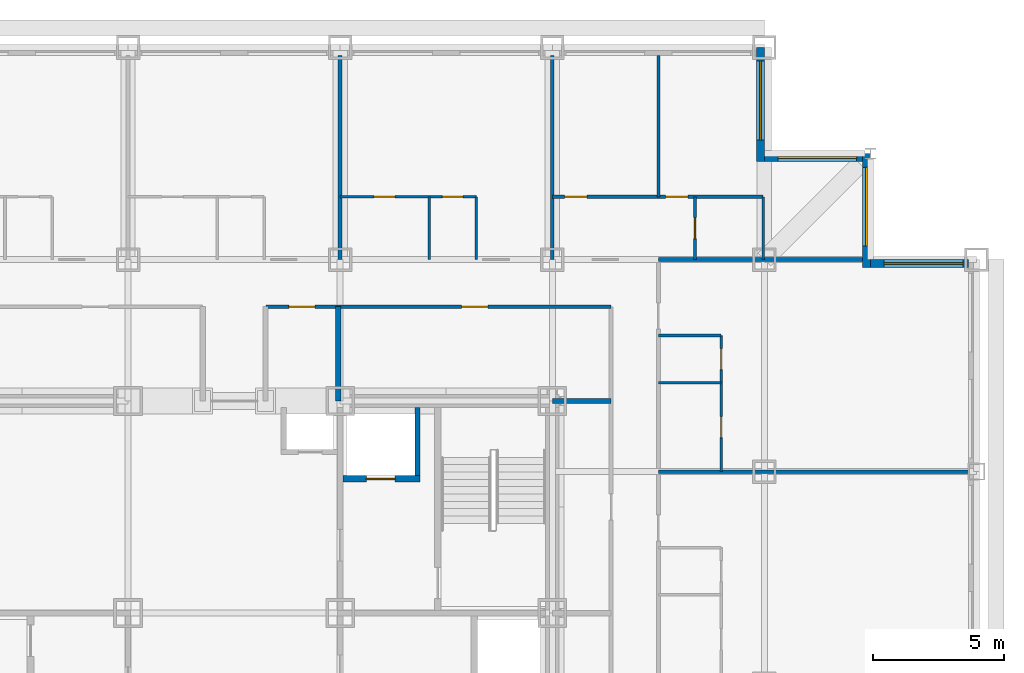
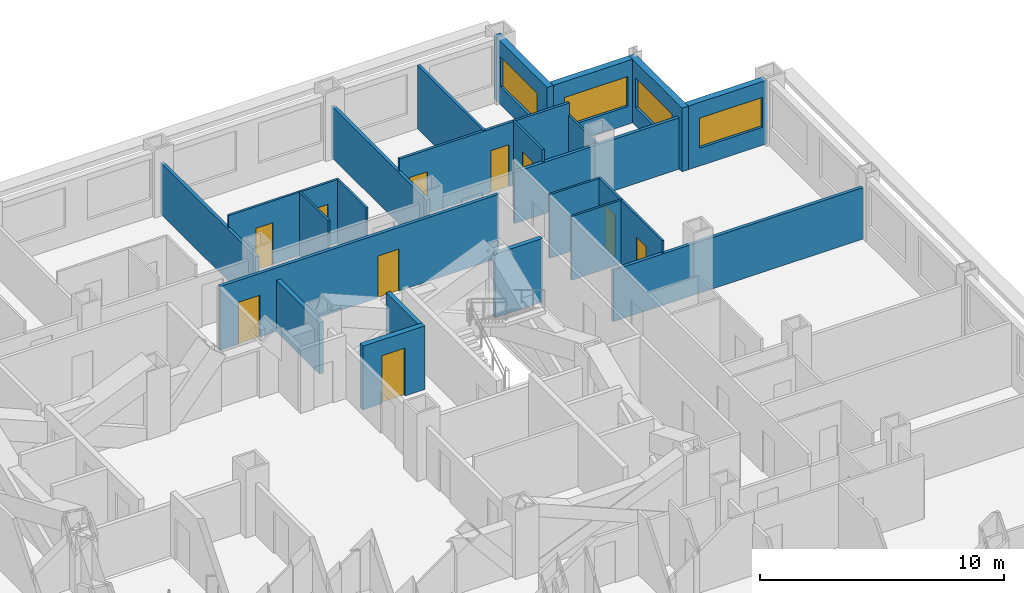
# One storey, part 10 of 12: 23 walls, 10 doors, 4 windows, 14 openings.
"""IFC4 building model written with IfcOpenShell, lengths in metres."""

from ifc_helpers import new_model, si_unit, direction, frame, frame_2d, origin, place, context, subcontext, project, spatial, rectangle, extrude, material, layer, layer_set, type_object, element, fill, save


model = new_model("IFC4")

# Units and contexts
model_context = context("Model", 3, precision=1e-05, world=origin(), true_north=direction((0.0, 1.0)))
body_context = subcontext(model_context, "Body", "Model", "MODEL_VIEW")
ifc_project = project(units=[si_unit("LENGTHUNIT", "METRE"), si_unit("AREAUNIT", "SQUARE_METRE"), si_unit("VOLUMEUNIT", "CUBIC_METRE"), si_unit("PLANEANGLEUNIT", "RADIAN"), si_unit("MASSUNIT", "GRAM", prefix="KILO")], contexts=[model_context])

# Site, building, storey
site_placement = place(None, origin())
site = spatial("IfcSite", under=ifc_project, at=site_placement, CompositionType="ELEMENT")
building_placement = place(site_placement, origin())
building = spatial("IfcBuilding", under=site, at=building_placement, Name="Kopane Lantern Tower", CompositionType="ELEMENT")
storey_placement = place(building_placement, frame((0.0, 0.0, 106.800048828125)))
storey = spatial("IfcBuildingStorey", under=building, at=storey_placement, Name="L26", CompositionType="ELEMENT", Elevation=106.800048828125)

# Wall, openings, doors
ifc_material_1 = material(Name="Gypsum board on steel studs", Category="steel")
ifc_layer_1 = layer(ifc_material_1, 0.1201171875)
ifc_layer_set_1 = layer_set([ifc_layer_1], Name="APARTMENT INTERNAL WALL 120")
wall_type_1 = type_object("IfcWallType", Name="APARTMENT INTERNAL WALL 120", PredefinedType="PARTITIONING", material=ifc_layer_set_1)
wall_1_placement = place(storey_placement, frame((40.5, 48.300048828125, 0.0), z_axis=(0.0, 0.0, 1.0), x_axis=(1.0, 0.0, 0.0)))
wall_1 = element("IfcWall", 1, at=wall_1_placement, inside=storey, type_object=wall_type_1, Name="Apartment Internal Wall 120 L26", PredefinedType="PARTITIONING", context=body_context, shape_type="SweptSolid", body=[
    extrude(rectangle(XDim=8.050048828125, YDim=0.1201171875, at=frame_2d((4.02490234375, 0.0))), origin(), (0.0, 0.0, 1.0), 3.18994140625),
])
opening_1_placement = place(wall_1_placement, frame((0.47509765625, 0.0, 0.0)))
opening_1 = element("IfcOpeningElement", 2, at=opening_1_placement, cuts=wall_1, Name="Opening L26-060", PredefinedType="OPENING", context=body_context, shape_type="SweptSolid", body=[
    extrude(rectangle(XDim=0.85009765625, YDim=2.10009765625, at=frame_2d((0.425048828125, 1.050048828125))), frame((0.0, 0.070068359375, 0.0), z_axis=(0.0, -1.0, 0.0), x_axis=(1.0, 0.0, 0.0)), (0.0, 0.0, 1.0), 0.14013671875),
])
opening_2_placement = place(wall_1_placement, frame((4.324951171875, 0.0, 0.0)))
opening_2 = element("IfcOpeningElement", 3, at=opening_2_placement, cuts=wall_1, Name="Opening L26-062", PredefinedType="OPENING", context=body_context, shape_type="SweptSolid", body=[
    extrude(rectangle(XDim=0.85009765625, YDim=2.10009765625, at=frame_2d((0.425048828125, 1.050048828125))), frame((0.0, 0.070068359375, 0.0), z_axis=(0.0, -1.0, 0.0), x_axis=(1.0, 0.0, 0.0)), (0.0, 0.0, 1.0), 0.14013671875),
])
ifc_material_2 = material(Name="Timber door set", Category="wood")
door_type_1 = type_object("IfcDoorType", Name="DOOR D4 850x2100", OperationType="SINGLE_SWING_LEFT", PredefinedType="DOOR", material=ifc_material_2)
door_1_placement = place(opening_1_placement, origin())
door_1 = element("IfcDoor", 4, at=door_1_placement, inside=storey, type_object=door_type_1, Name="Door L26-060", OperationType="SINGLE_SWING_RIGHT", OverallHeight=2.10009765625, OverallWidth=0.85009765625, PredefinedType="DOOR", context=body_context, shape_type="SweptSolid", body=[
    extrude(rectangle(XDim=0.85009765625, YDim=2.10009765625, at=frame_2d((0.425048828125, 1.050048828125))), frame((0.0, 0.02490234375, 0.0), z_axis=(0.0, -1.0, 0.0), x_axis=(1.0, 0.0, 0.0)), (0.0, 0.0, 1.0), 0.050048828125),
])
fill(opening_1, door_1)
door_2_placement = place(opening_2_placement, origin())
door_2 = element("IfcDoor", 5, at=door_2_placement, inside=storey, type_object=door_type_1, Name="Door L26-062", OperationType="SINGLE_SWING_LEFT", OverallHeight=2.10009765625, OverallWidth=0.85009765625, PredefinedType="DOOR", context=body_context, shape_type="SweptSolid", body=[
    extrude(rectangle(XDim=0.85009765625, YDim=2.10009765625, at=frame_2d((0.425048828125, 1.050048828125))), frame((0.0, 0.02490234375, 0.0), z_axis=(0.0, -1.0, 0.0), x_axis=(1.0, 0.0, 0.0)), (0.0, 0.0, 1.0), 0.050048828125),
])
fill(opening_2, door_2)

# Wall
wall_2_placement = place(storey_placement, frame((44.550048828125, 48.300048828125, 0.0), z_axis=(0.0, 0.0, 1.0), x_axis=(0.0, 1.0, 0.0)))
element("IfcWall", 6, at=wall_2_placement, inside=storey, type_object=wall_type_1, Name="Apartment Internal Wall 120 L26", PredefinedType="PARTITIONING", context=body_context, shape_type="SweptSolid", body=[
    extrude(rectangle(XDim=5.39990234375, YDim=0.1201171875, at=frame_2d((2.699951171875, 0.0))), origin(), (0.0, 0.0, 1.0), 3.18994140625),
])

# Wall, openings, doors
ifc_material_3 = material(Name="Moisture-resistant board on steel studs", Category="steel")
ifc_layer_2 = layer(ifc_material_3, 0.10009765625)
ifc_layer_set_2 = layer_set([ifc_layer_2], Name="BATHROOM WALL 100")
wall_type_2 = type_object("IfcWallType", Name="BATHROOM WALL 100", PredefinedType="PARTITIONING", material=ifc_layer_set_2)
wall_3_placement = place(storey_placement, frame((32.39990234375, 48.300048828125, 0.0), z_axis=(0.0, 0.0, 1.0), x_axis=(1.0, 0.0, 0.0)))
wall_3 = element("IfcWall", 7, at=wall_3_placement, inside=storey, type_object=wall_type_2, Name="Bathroom Wall 100 L26", PredefinedType="PARTITIONING", context=body_context, shape_type="SweptSolid", body=[
    extrude(rectangle(XDim=5.2001953125, YDim=0.10009765625, at=frame_2d((2.60009765625, 0.0))), origin(), (0.0, 0.0, 1.0), 3.18994140625),
])
opening_3_placement = place(wall_3_placement, frame((1.300048828125, 0.0, 0.0)))
opening_3 = element("IfcOpeningElement", 8, at=opening_3_placement, cuts=wall_3, Name="Opening L26-027", PredefinedType="OPENING", context=body_context, shape_type="SweptSolid", body=[
    extrude(rectangle(XDim=0.800048828125, YDim=2.10009765625, at=frame_2d((0.39990234375, 1.050048828125))), frame((0.0, 0.06005859375, 0.0), z_axis=(0.0, -1.0, 0.0), x_axis=(1.0, 0.0, 0.0)), (0.0, 0.0, 1.0), 0.1201171875),
])
opening_4_placement = place(wall_3_placement, frame((3.89990234375, 0.0, 0.0)))
opening_4 = element("IfcOpeningElement", 9, at=opening_4_placement, cuts=wall_3, Name="Opening L26-028", PredefinedType="OPENING", context=body_context, shape_type="SweptSolid", body=[
    extrude(rectangle(XDim=0.800048828125, YDim=2.10009765625, at=frame_2d((0.39990234375, 1.050048828125))), frame((0.0, 0.06005859375, 0.0), z_axis=(0.0, -1.0, 0.0), x_axis=(1.0, 0.0, 0.0)), (0.0, 0.0, 1.0), 0.1201171875),
])
ifc_material_4 = material(Name="Timber door set", Category="wood")
door_type_2 = type_object("IfcDoorType", Name="DOOR D2 800x2100", OperationType="SINGLE_SWING_LEFT", PredefinedType="DOOR", material=ifc_material_4)
door_3_placement = place(opening_3_placement, origin())
door_3 = element("IfcDoor", 10, at=door_3_placement, inside=storey, type_object=door_type_2, Name="Door L26-027", OperationType="SINGLE_SWING_LEFT", OverallHeight=2.10009765625, OverallWidth=0.800048828125, PredefinedType="DOOR", context=body_context, shape_type="SweptSolid", body=[
    extrude(rectangle(XDim=0.800048828125, YDim=2.10009765625, at=frame_2d((0.39990234375, 1.050048828125))), frame((0.0, 0.02490234375, 0.0), z_axis=(0.0, -1.0, 0.0), x_axis=(1.0, 0.0, 0.0)), (0.0, 0.0, 1.0), 0.050048828125),
])
fill(opening_3, door_3)
door_4_placement = place(opening_4_placement, origin())
door_4 = element("IfcDoor", 11, at=door_4_placement, inside=storey, type_object=door_type_2, Name="Door L26-028", OperationType="SINGLE_SWING_LEFT", OverallHeight=2.10009765625, OverallWidth=0.800048828125, PredefinedType="DOOR", context=body_context, shape_type="SweptSolid", body=[
    extrude(rectangle(XDim=0.800048828125, YDim=2.10009765625, at=frame_2d((0.39990234375, 1.050048828125))), frame((0.0, 0.02490234375, 0.0), z_axis=(0.0, -1.0, 0.0), x_axis=(1.0, 0.0, 0.0)), (0.0, 0.0, 1.0), 0.050048828125),
])
fill(opening_4, door_4)

# Walls
for number, where, z_axis, x_axis, name in (
    (12, (35.800048828125, 45.89990234375, 0.0), (0.0, 0.0, 1.0), (0.0, 1.0, 0.0), "Bathroom Wall 100 L26"),
    (13, (37.60009765625, 45.89990234375, 0.0), (0.0, 0.0, 1.0), (0.0, 1.0, 0.0), "Bathroom Wall 100 L26"),
):
    element("IfcWall", number, at=place(storey_placement, frame(where, z_axis=z_axis, x_axis=x_axis)), inside=storey, type_object=wall_type_2, Name=name, PredefinedType="PARTITIONING", context=body_context, shape_type="SweptSolid", body=[
        extrude(rectangle(XDim=2.400146484375, YDim=0.10009765625, at=frame_2d((1.2001953125, 0.0))), origin(), (0.0, 0.0, 1.0), 3.18994140625),
    ])

# Wall, openings, doors
wall_4_placement = place(storey_placement, frame((46.949951171875, 37.800048828125, 0.0), z_axis=(0.0, 0.0, 1.0), x_axis=(0.0, 1.0, 0.0)))
wall_4 = element("IfcWall", 14, at=wall_4_placement, inside=storey, type_object=wall_type_2, Name="Bathroom Wall 100 L26", PredefinedType="PARTITIONING", context=body_context, shape_type="SweptSolid", body=[
    extrude(rectangle(XDim=5.199951171875, YDim=0.10009765625, at=frame_2d((2.60009765625, 0.0))), origin(), (0.0, 0.0, 1.0), 3.18994140625),
])
opening_5_placement = place(wall_4_placement, frame((1.300048828125, 0.0, 0.0)))
opening_5 = element("IfcOpeningElement", 15, at=opening_5_placement, cuts=wall_4, Name="Opening L26-046", PredefinedType="OPENING", context=body_context, shape_type="SweptSolid", body=[
    extrude(rectangle(XDim=0.800048828125, YDim=2.10009765625, at=frame_2d((0.39990234375, 1.050048828125))), frame((0.0, 0.06005859375, 0.0), z_axis=(0.0, -1.0, 0.0), x_axis=(1.0, 0.0, 0.0)), (0.0, 0.0, 1.0), 0.1201171875),
])
opening_6_placement = place(wall_4_placement, frame((3.89990234375, 0.0, 0.0)))
opening_6 = element("IfcOpeningElement", 16, at=opening_6_placement, cuts=wall_4, Name="Opening L26-047", PredefinedType="OPENING", context=body_context, shape_type="SweptSolid", body=[
    extrude(rectangle(XDim=0.800048828125, YDim=2.10009765625, at=frame_2d((0.39990234375, 1.050048828125))), frame((0.0, 0.06005859375, 0.0), z_axis=(0.0, -1.0, 0.0), x_axis=(1.0, 0.0, 0.0)), (0.0, 0.0, 1.0), 0.1201171875),
])
door_5_placement = place(opening_5_placement, origin())
door_5 = element("IfcDoor", 17, at=door_5_placement, inside=storey, type_object=door_type_2, Name="Door L26-046", OperationType="SINGLE_SWING_RIGHT", OverallHeight=2.10009765625, OverallWidth=0.800048828125, PredefinedType="DOOR", context=body_context, shape_type="SweptSolid", body=[
    extrude(rectangle(XDim=0.800048828125, YDim=2.10009765625, at=frame_2d((0.39990234375, 1.050048828125))), frame((0.0, 0.02490234375, 0.0), z_axis=(0.0, -1.0, 0.0), x_axis=(1.0, 0.0, 0.0)), (0.0, 0.0, 1.0), 0.050048828125),
])
fill(opening_5, door_5)
door_6_placement = place(opening_6_placement, origin())
door_6 = element("IfcDoor", 18, at=door_6_placement, inside=storey, type_object=door_type_2, Name="Door L26-047", OperationType="SINGLE_SWING_RIGHT", OverallHeight=2.10009765625, OverallWidth=0.800048828125, PredefinedType="DOOR", context=body_context, shape_type="SweptSolid", body=[
    extrude(rectangle(XDim=0.800048828125, YDim=2.10009765625, at=frame_2d((0.39990234375, 1.050048828125))), frame((0.0, 0.02490234375, 0.0), z_axis=(0.0, -1.0, 0.0), x_axis=(1.0, 0.0, 0.0)), (0.0, 0.0, 1.0), 0.050048828125),
])
fill(opening_6, door_6)

# Walls
for number, where, z_axis, x_axis, name in (
    (19, (44.550048828125, 41.199951171875, 0.0), (0.0, 0.0, 1.0), (1.0, 0.0, 0.0), "Bathroom Wall 100 L26"),
    (20, (44.550048828125, 43.0, 0.0), (0.0, 0.0, 1.0), (1.0, 0.0, 0.0), "Bathroom Wall 100 L26"),
):
    element("IfcWall", number, at=place(storey_placement, frame(where, z_axis=z_axis, x_axis=x_axis)), inside=storey, type_object=wall_type_2, Name=name, PredefinedType="PARTITIONING", context=body_context, shape_type="SweptSolid", body=[
        extrude(rectangle(XDim=2.39990234375, YDim=0.10009765625, at=frame_2d((1.199951171875, 0.0))), origin(), (0.0, 0.0, 1.0), 3.18994140625),
    ])

# Wall, opening, door
wall_5_placement = place(storey_placement, frame((45.949951171875, 45.89990234375, 0.0), z_axis=(0.0, 0.0, 1.0), x_axis=(0.0, 1.0, 0.0)))
wall_5 = element("IfcWall", 21, at=wall_5_placement, inside=storey, type_object=wall_type_2, Name="Bathroom Wall 100 L26", PredefinedType="PARTITIONING", context=body_context, shape_type="SweptSolid", body=[
    extrude(rectangle(XDim=2.400146484375, YDim=0.10009765625, at=frame_2d((1.2001953125, 0.0))), origin(), (0.0, 0.0, 1.0), 3.18994140625),
])
opening_7_placement = place(wall_5_placement, frame((0.800048828125, 0.0, 0.0)))
opening_7 = element("IfcOpeningElement", 22, at=opening_7_placement, cuts=wall_5, Name="Opening L26-061", PredefinedType="OPENING", context=body_context, shape_type="SweptSolid", body=[
    extrude(rectangle(XDim=0.800048828125, YDim=2.10009765625, at=frame_2d((0.39990234375, 1.050048828125))), frame((0.0, 0.06005859375, 0.0), z_axis=(0.0, -1.0, 0.0), x_axis=(1.0, 0.0, 0.0)), (0.0, 0.0, 1.0), 0.1201171875),
])
door_7_placement = place(opening_7_placement, origin())
door_7 = element("IfcDoor", 23, at=door_7_placement, inside=storey, type_object=door_type_2, Name="Door L26-061", OperationType="SINGLE_SWING_RIGHT", OverallHeight=2.10009765625, OverallWidth=0.800048828125, PredefinedType="DOOR", context=body_context, shape_type="SweptSolid", body=[
    extrude(rectangle(XDim=0.800048828125, YDim=2.10009765625, at=frame_2d((0.39990234375, 1.050048828125))), frame((0.0, 0.02490234375, 0.0), z_axis=(0.0, -1.0, 0.0), x_axis=(1.0, 0.0, 0.0)), (0.0, 0.0, 1.0), 0.050048828125),
])
fill(opening_7, door_7)

# Wall
wall_6_placement = place(storey_placement, frame((48.550048828125, 45.89990234375, 0.0), z_axis=(0.0, 0.0, 1.0), x_axis=(0.0, 1.0, 0.0)))
element("IfcWall", 24, at=wall_6_placement, inside=storey, type_object=wall_type_2, Name="Bathroom Wall 100 L26", PredefinedType="PARTITIONING", context=body_context, shape_type="SweptSolid", body=[
    extrude(rectangle(XDim=2.400146484375, YDim=0.10009765625, at=frame_2d((1.2001953125, 0.0))), origin(), (0.0, 0.0, 1.0), 2.57763671875),
])

# Wall, opening, door
ifc_material_5 = material(Name="Gypsum shaft wall EI 120", Category="gypsum")
ifc_layer_3 = layer(ifc_material_5, 0.25)
ifc_layer_set_3 = layer_set([ifc_layer_3], Name="CORE SHAFT WALL 250 EI 120")
wall_type_3 = type_object("IfcWallType", Name="CORE SHAFT WALL 250 EI 120", PredefinedType="SOLIDWALL", material=ifc_layer_set_3)
wall_7_placement = place(storey_placement, frame((32.5, 37.52490234375, 0.0), z_axis=(0.0, 0.0, 1.0), x_axis=(1.0, 0.0, 0.0)))
wall_7 = element("IfcWall", 25, at=wall_7_placement, inside=storey, type_object=wall_type_3, Name="Core shaft wall L26 YLF2", PredefinedType="SOLIDWALL", context=body_context, shape_type="SweptSolid", body=[
    extrude(rectangle(XDim=2.949951171875, YDim=0.25, at=frame_2d((1.47509765625, 0.0))), origin(), (0.0, 0.0, 1.0), 3.18994140625),
])
opening_8_placement = place(wall_7_placement, frame((0.89990234375, 0.0, 0.0)))
opening_8 = element("IfcOpeningElement", 26, at=opening_8_placement, cuts=wall_7, Name="Opening 26.LD-LF2", PredefinedType="OPENING", context=body_context, shape_type="SweptSolid", body=[
    extrude(rectangle(XDim=1.10009765625, YDim=2.39990234375, at=frame_2d((0.550048828125, 1.199951171875))), frame((0.0, 0.135009765625, 0.0), z_axis=(0.0, -1.0, 0.0), x_axis=(1.0, 0.0, 0.0)), (0.0, 0.0, 1.0), 0.27001953125),
])
ifc_material_6 = material(Name="Steel door set", Category="steel")
door_type_3 = type_object("IfcDoorType", Name="LIFT LANDING DOOR 1100x2400 FD60", OperationType="DOUBLE_DOOR_SLIDING", PredefinedType="DOOR", material=ifc_material_6)
door_8_placement = place(opening_8_placement, origin())
door_8 = element("IfcDoor", 27, at=door_8_placement, inside=storey, type_object=door_type_3, Name="Landing door LF2 L26", OperationType="DOUBLE_DOOR_SLIDING", OverallHeight=2.39990234375, OverallWidth=1.10009765625, PredefinedType="DOOR", context=body_context, shape_type="SweptSolid", body=[
    extrude(rectangle(XDim=1.10009765625, YDim=2.39990234375, at=frame_2d((0.550048828125, 1.199951171875))), frame((0.0, 0.02490234375, 0.0), z_axis=(0.0, -1.0, 0.0), x_axis=(1.0, 0.0, 0.0)), (0.0, 0.0, 1.0), 0.050048828125),
])
fill(opening_8, door_8)

# Wall, openings, doors
ifc_material_7 = material(Name="Gypsum board on steel studs", Category="steel")
ifc_layer_4 = layer(ifc_material_7, 0.14990234375)
ifc_layer_set_4 = layer_set([ifc_layer_4], Name="CORRIDOR WALL 150 EI 60")
wall_type_4 = type_object("IfcWallType", Name="CORRIDOR WALL 150 EI 60", PredefinedType="PARTITIONING", material=ifc_layer_set_4)
wall_8_placement = place(storey_placement, frame((42.75, 44.10009765625, 0.0), z_axis=(0.0, 0.0, 1.0), x_axis=(-1.0, 0.0, 0.0)))
wall_8 = element("IfcWall", 28, at=wall_8_placement, inside=storey, type_object=wall_type_4, Name="Corridor Wall 150 Ei 60 L26", PredefinedType="PARTITIONING", context=body_context, shape_type="SweptSolid", body=[
    extrude(rectangle(XDim=13.18994140625, YDim=0.14990234375, at=frame_2d((6.594970703125, 0.0))), origin(), (0.0, 0.0, 1.0), 3.18994140625),
])
opening_9_placement = place(wall_8_placement, frame((11.31103515625, 0.0, 0.0)))
opening_9 = element("IfcOpeningElement", 29, at=opening_9_placement, cuts=wall_8, Name="Opening L26-007", PredefinedType="OPENING", context=body_context, shape_type="SweptSolid", body=[
    extrude(rectangle(XDim=1.0, YDim=2.10009765625, at=frame_2d((0.5, 1.050048828125))), frame((0.0, 0.0849609375, 0.0), z_axis=(0.0, -1.0, 0.0), x_axis=(1.0, 0.0, 0.0)), (0.0, 0.0, 1.0), 0.169921875),
])
opening_10_placement = place(wall_8_placement, frame((4.711181640625, 0.0, 0.0)))
opening_10 = element("IfcOpeningElement", 30, at=opening_10_placement, cuts=wall_8, Name="Opening L26-008", PredefinedType="OPENING", context=body_context, shape_type="SweptSolid", body=[
    extrude(rectangle(XDim=1.0, YDim=2.10009765625, at=frame_2d((0.5, 1.050048828125))), frame((0.0, 0.0849609375, 0.0), z_axis=(0.0, -1.0, 0.0), x_axis=(1.0, 0.0, 0.0)), (0.0, 0.0, 1.0), 0.169921875),
])
ifc_material_8 = material(Name="Steel door set", Category="steel")
door_type_4 = type_object("IfcDoorType", Name="DOOR D5 1000x2100 FD60", OperationType="SINGLE_SWING_LEFT", PredefinedType="DOOR", material=ifc_material_8)
door_9_placement = place(opening_9_placement, origin())
door_9 = element("IfcDoor", 31, at=door_9_placement, inside=storey, type_object=door_type_4, Name="Door L26-007", OperationType="SINGLE_SWING_RIGHT", OverallHeight=2.10009765625, OverallWidth=1.0, PredefinedType="DOOR", context=body_context, shape_type="SweptSolid", body=[
    extrude(rectangle(XDim=1.0, YDim=2.10009765625, at=frame_2d((0.5, 1.050048828125))), frame((0.0, 0.02490234375, 0.0), z_axis=(0.0, -1.0, 0.0), x_axis=(1.0, 0.0, 0.0)), (0.0, 0.0, 1.0), 0.050048828125),
])
fill(opening_9, door_9)
door_10_placement = place(opening_10_placement, origin())
door_10 = element("IfcDoor", 32, at=door_10_placement, inside=storey, type_object=door_type_4, Name="Door L26-008", OperationType="SINGLE_SWING_LEFT", OverallHeight=2.10009765625, OverallWidth=1.0, PredefinedType="DOOR", context=body_context, shape_type="SweptSolid", body=[
    extrude(rectangle(XDim=1.0, YDim=2.10009765625, at=frame_2d((0.5, 1.050048828125))), frame((0.0, 0.02490234375, 0.0), z_axis=(0.0, -1.0, 0.0), x_axis=(1.0, 0.0, 0.0)), (0.0, 0.0, 1.0), 0.050048828125),
])
fill(opening_10, door_10)

# Walls
ifc_material_9 = material(Name="Gypsum board on steel studs", Category="steel")
ifc_layer_5 = layer(ifc_material_9, 0.14990234375)
ifc_layer_set_5 = layer_set([ifc_layer_5], Name="DEMISING WALL 150 EI 60")
wall_type_5 = type_object("IfcWallType", Name="DEMISING WALL 150 EI 60", PredefinedType="PARTITIONING", material=ifc_layer_set_5)
wall_9_placement = place(storey_placement, frame((32.39990234375, 45.89990234375, 0.0), z_axis=(0.0, 0.0, 1.0), x_axis=(0.0, 1.0, 0.0)))
element("IfcWall", 33, at=wall_9_placement, inside=storey, type_object=wall_type_5, Name="Demising Wall 150 Ei 60 L26", PredefinedType="PARTITIONING", context=body_context, shape_type="SweptSolid", body=[
    extrude(rectangle(XDim=7.800048828125, YDim=0.14990234375, at=frame_2d((3.89990234375, 0.0))), origin(), (0.0, 0.0, 1.0), 2.57763671875),
])
wall_10_placement = place(storey_placement, frame((44.550048828125, 37.800048828125, 0.0), z_axis=(0.0, 0.0, 1.0), x_axis=(1.0, 0.0, 0.0)))
element("IfcWall", 34, at=wall_10_placement, inside=storey, type_object=wall_type_5, Name="Demising Wall 150 Ei 60 L26", PredefinedType="PARTITIONING", context=body_context, shape_type="SweptSolid", body=[
    extrude(rectangle(XDim=11.849853515625, YDim=0.14990234375, at=frame_2d((5.9248046875, 0.0))), origin(), (0.0, 0.0, 1.0), 2.57763671875),
])
for number, where, z_axis, x_axis, name in (
    (35, (44.550048828125, 45.89990234375, 0.0), (0.0, 0.0, 1.0), (1.0, 0.0, 0.0), "Demising Wall 150 Ei 60 L26"),
    (36, (40.5, 45.89990234375, 0.0), (0.0, 0.0, 1.0), (0.0, 1.0, 0.0), "Demising Wall 150 Ei 60 L26"),
):
    element("IfcWall", number, at=place(storey_placement, frame(where, z_axis=z_axis, x_axis=x_axis)), inside=storey, type_object=wall_type_5, Name=name, PredefinedType="PARTITIONING", context=body_context, shape_type="SweptSolid", body=[
        extrude(rectangle(XDim=7.800048828125, YDim=0.14990234375, at=frame_2d((3.89990234375, 0.0))), origin(), (0.0, 0.0, 1.0), 2.57763671875),
    ])

# Wall, opening, window
ifc_material_10 = material(Name="Terracotta rainscreen on light steel framing", Category="masonry")
ifc_layer_6 = layer(ifc_material_10, 0.300048828125)
ifc_layer_set_6 = layer_set([ifc_layer_6], Name="EXTERNAL WALL EW1 300 TERRACOTTA")
wall_type_6 = type_object("IfcWallType", Name="EXTERNAL WALL EW1 300 TERRACOTTA", PredefinedType="SOLIDWALL", material=ifc_layer_set_6)
wall_11_placement = place(storey_placement, frame((56.39990234375, 45.75, 0.0), z_axis=(0.0, 0.0, 1.0), x_axis=(-1.0, 0.0, 0.0)))
wall_11 = element("IfcWall", 37, at=wall_11_placement, inside=storey, type_object=wall_type_6, Name="External wall N L26", PredefinedType="SOLIDWALL", context=body_context, shape_type="SweptSolid", body=[
    extrude(rectangle(XDim=3.75, YDim=0.300048828125, at=frame_2d((1.875, 0.0))), origin(), (0.0, 0.0, 1.0), 3.18994140625),
])
opening_11_placement = place(wall_11_placement, frame((0.22509765625, 0.0, 0.89990234375)))
opening_11 = element("IfcOpeningElement", 38, at=opening_11_placement, cuts=wall_11, Name="Opening WR300150", PredefinedType="OPENING", context=body_context, shape_type="SweptSolid", body=[
    extrude(rectangle(XDim=3.0, YDim=1.5, at=frame_2d((1.5, 0.75))), frame((0.0, 0.159912109375, 0.0), z_axis=(0.0, -1.0, 0.0), x_axis=(1.0, 0.0, 0.0)), (0.0, 0.0, 1.0), 0.320068359375),
])
ifc_material_11 = material(Name="Aluminium and clear glass", Category="aluminium")
window_type = type_object("IfcWindowType", Name="RIBBON WINDOW WR300150 3000x1500", PartitioningType="SINGLE_PANEL", PredefinedType="WINDOW", material=ifc_material_11)
window_1_placement = place(opening_11_placement, origin())
window_1 = element("IfcWindow", 39, at=window_1_placement, inside=storey, type_object=window_type, Name="Window N L26", OverallHeight=1.5, OverallWidth=3.0, PartitioningType="SINGLE_PANEL", PredefinedType="WINDOW", context=body_context, shape_type="SweptSolid", body=[
    extrude(rectangle(XDim=3.0, YDim=1.5, at=frame_2d((1.5, 0.75))), frame((0.0, 0.030029296875, 0.0), z_axis=(0.0, -1.0, 0.0), x_axis=(1.0, 0.0, 0.0)), (0.0, 0.0, 1.0), 0.06005859375),
])
fill(opening_11, window_1)

wall_12_placement = place(storey_placement, frame((52.5, 45.60009765625, 0.0), z_axis=(0.0, 0.0, 1.0), x_axis=(0.0, 1.0, 0.0)))
wall_12 = element("IfcWall", 40, at=wall_12_placement, inside=storey, type_object=wall_type_6, Name="External wall E L26", PredefinedType="SOLIDWALL", context=body_context, shape_type="SweptSolid", body=[
    extrude(rectangle(XDim=4.349853515625, YDim=0.300048828125, at=frame_2d((2.1748046875, 0.0))), origin(), (0.0, 0.0, 1.0), 3.18994140625),
])
opening_12_placement = place(wall_12_placement, frame((0.824951171875, 0.0, 0.89990234375)))
opening_12 = element("IfcOpeningElement", 41, at=opening_12_placement, cuts=wall_12, Name="Opening WR300150", PredefinedType="OPENING", context=body_context, shape_type="SweptSolid", body=[
    extrude(rectangle(XDim=3.0, YDim=1.5, at=frame_2d((1.5, 0.75))), frame((0.0, 0.159912109375, 0.0), z_axis=(0.0, -1.0, 0.0), x_axis=(1.0, 0.0, 0.0)), (0.0, 0.0, 1.0), 0.320068359375),
])
window_2_placement = place(opening_12_placement, origin())
window_2 = element("IfcWindow", 42, at=window_2_placement, inside=storey, type_object=window_type, Name="Window E L26", OverallHeight=1.5, OverallWidth=3.0, PartitioningType="SINGLE_PANEL", PredefinedType="WINDOW", context=body_context, shape_type="SweptSolid", body=[
    extrude(rectangle(XDim=3.0, YDim=1.5, at=frame_2d((1.5, 0.75))), frame((0.0, 0.030029296875, 0.0), z_axis=(0.0, -1.0, 0.0), x_axis=(1.0, 0.0, 0.0)), (0.0, 0.0, 1.0), 0.06005859375),
])
fill(opening_12, window_2)

wall_13_placement = place(storey_placement, frame((52.35009765625, 49.800048828125, 0.0), z_axis=(0.0, 0.0, 1.0), x_axis=(-1.0, 0.0, 0.0)))
wall_13 = element("IfcWall", 43, at=wall_13_placement, inside=storey, type_object=wall_type_6, Name="External wall N L26", PredefinedType="SOLIDWALL", context=body_context, shape_type="SweptSolid", body=[
    extrude(rectangle(XDim=3.75, YDim=0.300048828125, at=frame_2d((1.875, 0.0))), origin(), (0.0, 0.0, 1.0), 3.18994140625),
])
opening_13_placement = place(wall_13_placement, frame((0.22509765625, 0.0, 0.89990234375)))
opening_13 = element("IfcOpeningElement", 44, at=opening_13_placement, cuts=wall_13, Name="Opening WR300150", PredefinedType="OPENING", context=body_context, shape_type="SweptSolid", body=[
    extrude(rectangle(XDim=3.0, YDim=1.5, at=frame_2d((1.5, 0.75))), frame((0.0, 0.159912109375, 0.0), z_axis=(0.0, -1.0, 0.0), x_axis=(1.0, 0.0, 0.0)), (0.0, 0.0, 1.0), 0.320068359375),
])
window_3_placement = place(opening_13_placement, origin())
window_3 = element("IfcWindow", 45, at=window_3_placement, inside=storey, type_object=window_type, Name="Window N L26", OverallHeight=1.5, OverallWidth=3.0, PartitioningType="SINGLE_PANEL", PredefinedType="WINDOW", context=body_context, shape_type="SweptSolid", body=[
    extrude(rectangle(XDim=3.0, YDim=1.5, at=frame_2d((1.5, 0.75))), frame((0.0, 0.030029296875, 0.0), z_axis=(0.0, -1.0, 0.0), x_axis=(1.0, 0.0, 0.0)), (0.0, 0.0, 1.0), 0.06005859375),
])
fill(opening_13, window_3)

wall_14_placement = place(storey_placement, frame((48.449951171875, 49.64990234375, 0.0), z_axis=(0.0, 0.0, 1.0), x_axis=(0.0, 1.0, 0.0)))
wall_14 = element("IfcWall", 46, at=wall_14_placement, inside=storey, type_object=wall_type_6, Name="External wall E L26", PredefinedType="SOLIDWALL", context=body_context, shape_type="SweptSolid", body=[
    extrude(rectangle(XDim=4.35009765625, YDim=0.300048828125, at=frame_2d((2.175048828125, 0.0))), origin(), (0.0, 0.0, 1.0), 3.18994140625),
])
opening_14_placement = place(wall_14_placement, frame((0.824951171875, 0.0, 0.89990234375)))
opening_14 = element("IfcOpeningElement", 47, at=opening_14_placement, cuts=wall_14, Name="Opening WR300150", PredefinedType="OPENING", context=body_context, shape_type="SweptSolid", body=[
    extrude(rectangle(XDim=3.0, YDim=1.5, at=frame_2d((1.5, 0.75))), frame((0.0, 0.159912109375, 0.0), z_axis=(0.0, -1.0, 0.0), x_axis=(1.0, 0.0, 0.0)), (0.0, 0.0, 1.0), 0.320068359375),
])
window_4_placement = place(opening_14_placement, origin())
window_4 = element("IfcWindow", 48, at=window_4_placement, inside=storey, type_object=window_type, Name="Window E L26", OverallHeight=1.5, OverallWidth=3.0, PartitioningType="SINGLE_PANEL", PredefinedType="WINDOW", context=body_context, shape_type="SweptSolid", body=[
    extrude(rectangle(XDim=3.0, YDim=1.5, at=frame_2d((1.5, 0.75))), frame((0.0, 0.030029296875, 0.0), z_axis=(0.0, -1.0, 0.0), x_axis=(1.0, 0.0, 0.0)), (0.0, 0.0, 1.0), 0.06005859375),
])
fill(opening_14, window_4)

# Walls
ifc_material_12 = material(Name="Concrete masonry", Category="masonry")
ifc_layer_7 = layer(ifc_material_12, 0.199951171875)
ifc_layer_set_7 = layer_set([ifc_layer_7], Name="PLANT ROOM WALL 200 EI 120")
wall_type_7 = type_object("IfcWallType", Name="PLANT ROOM WALL 200 EI 120", PredefinedType="SOLIDWALL", material=ifc_layer_set_7)
wall_15_placement = place(storey_placement, frame((32.327880859375, 44.10009765625, 0.0), z_axis=(0.0, 0.0, 1.0), x_axis=(0.0, -1.0, 0.0)))
element("IfcWall", 49, at=wall_15_placement, inside=storey, type_object=wall_type_7, Name="Plant Room Wall 200 Ei 120 L26", PredefinedType="SOLIDWALL", context=body_context, shape_type="SweptSolid", body=[
    extrude(rectangle(XDim=3.60009765625, YDim=0.199951171875, at=frame_2d((1.800048828125, 0.0))), origin(), (0.0, 0.0, 1.0), 2.57763671875),
])
wall_16_placement = place(storey_placement, frame((40.5, 40.5, 0.0), z_axis=(0.0, 0.0, 1.0), x_axis=(1.0, 0.0, 0.0)))
element("IfcWall", 50, at=wall_16_placement, inside=storey, type_object=wall_type_7, Name="Plant Room Wall 200 Ei 120 L26", PredefinedType="SOLIDWALL", context=body_context, shape_type="SweptSolid", body=[
    extrude(rectangle(XDim=2.25, YDim=0.199951171875, at=frame_2d((1.125, 0.0))), origin(), (0.0, 0.0, 1.0), 3.18994140625),
])
ifc_material_13 = material(Name="Gypsum shaft wall EI 120", Category="gypsum")
ifc_layer_8 = layer(ifc_material_13, 0.199951171875)
ifc_layer_set_8 = layer_set([ifc_layer_8], Name="SHAFT WALL 200 EI 120")
wall_type_8 = type_object("IfcWallType", Name="SHAFT WALL 200 EI 120", PredefinedType="SOLIDWALL", material=ifc_layer_set_8)
wall_17_placement = place(storey_placement, frame((35.35009765625, 37.64990234375, 0.0), z_axis=(0.0, 0.0, 1.0), x_axis=(0.0, 1.0, 0.0)))
element("IfcWall", 51, at=wall_17_placement, inside=storey, type_object=wall_type_8, Name="Core shaft wall L26 XLF2", PredefinedType="SOLIDWALL", context=body_context, shape_type="SweptSolid", body=[
    extrude(rectangle(XDim=2.60009765625, YDim=0.199951171875, at=frame_2d((1.300048828125, 0.0))), origin(), (0.0, 0.0, 1.0), 3.18994140625),
])

save(model, "model.ifc")
